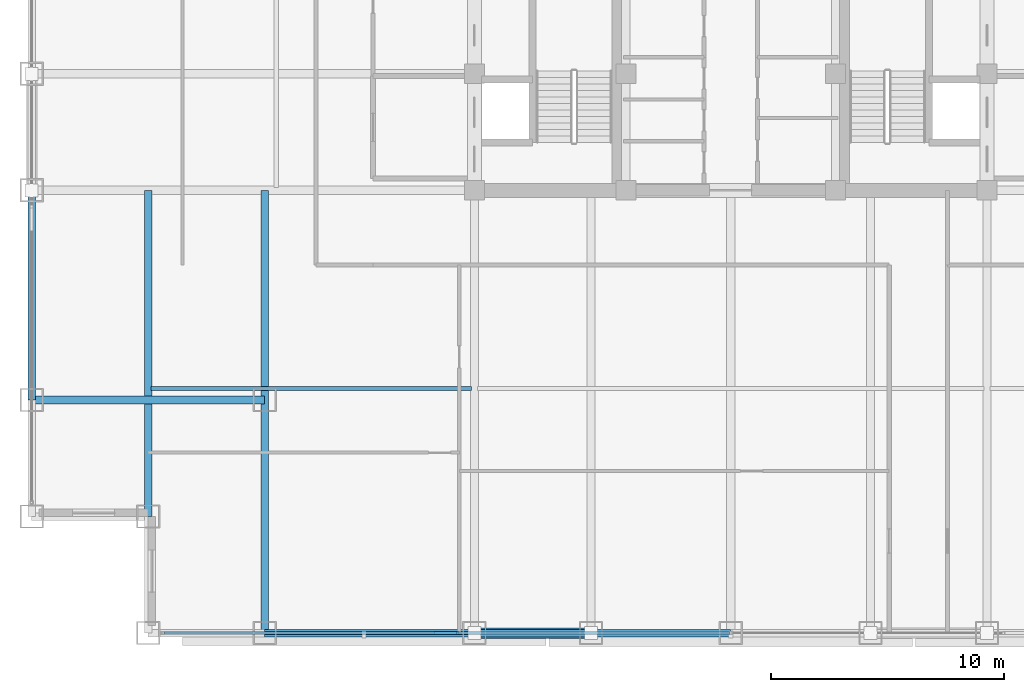
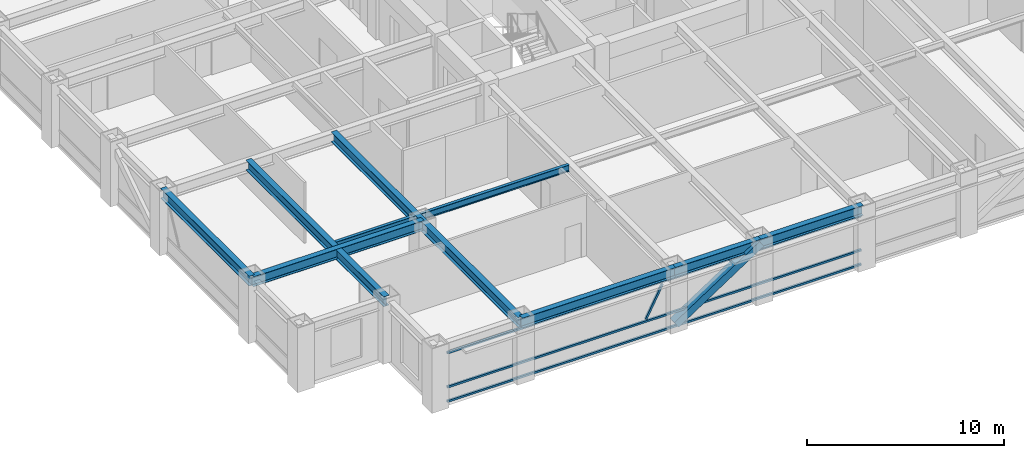
# One storey, part 3 of 29: 8 beams, 5 members, 1 element without a shape of its own.
"""IFC4 building model written with IfcOpenShell, lengths in metres."""

from ifc_helpers import new_model, si_unit, direction, frame, origin, origin_2d, place, context, subcontext, project, spatial, hollow_rectangle, i_section, extrude, source, transform, mapped, material, material_profile, profile_set, type_object, element, aggregate, save


model = new_model("IFC4")

# Units and contexts
model_context = context("Model", 3, precision=1e-05, world=origin(), true_north=direction((0.0, 1.0)))
body_context = subcontext(model_context, "Body", "Model", "MODEL_VIEW")
ifc_project = project(units=[si_unit("LENGTHUNIT", "METRE"), si_unit("AREAUNIT", "SQUARE_METRE"), si_unit("VOLUMEUNIT", "CUBIC_METRE"), si_unit("PLANEANGLEUNIT", "RADIAN"), si_unit("MASSUNIT", "GRAM", prefix="KILO")], contexts=[model_context])

# Site, building, storey
site_placement = place(None, origin())
site = spatial("IfcSite", under=ifc_project, at=site_placement, CompositionType="ELEMENT")
building_placement = place(site_placement, origin())
building = spatial("IfcBuilding", under=site, at=building_placement, Name="Khorayat Bourse Tower", CompositionType="ELEMENT")
storey_placement = place(building_placement, frame((0.0, 0.0, 243.10009765625)))
storey = spatial("IfcBuildingStorey", under=building, at=storey_placement, Name="L57", CompositionType="ELEMENT", Elevation=243.10009765625)

# Beams
ifc_material_1 = material(Name="Steel ASTM A992 Grade 50", Category="steel")
ifc_material_profile_1 = material_profile(ifc_material_1, i_section(OverallWidth=0.324951171875, OverallDepth=0.615966796875, WebThickness=0.013916015625, FlangeThickness=0.021484375, FilletRadius=0.01611328125, at=origin_2d()), Name="W610X174")
ifc_profile_set_1 = profile_set([ifc_material_profile_1], Name="Steel ASTM A992 Grade 50")
beam_type_1 = type_object("IfcBeamType", Name="BM-GIRD-610", PredefinedType="BEAM", material=ifc_profile_set_1)
shared_shape_1 = source(origin(), body_context, "Body", "SweptSolid", [
    extrude(i_section(OverallWidth=0.324951171875, OverallDepth=0.615966796875, WebThickness=0.013916015625, FlangeThickness=0.021484375, FilletRadius=0.01611328125, at=origin_2d()), origin(), (0.0, 0.0, 1.0), 19.0),
])
beam_1_placement = place(storey_placement, frame((-20.0, -30.0, 3.471923828125), z_axis=(0.0, 1.0, 0.0), x_axis=(-1.0, 0.0, 0.0)))
element("IfcBeam", 1, at=beam_1_placement, inside=storey, type_object=beam_type_1, Name="L57 BM-GIRD-610 BM-L57-CNRY-084", PredefinedType="BEAM", context=body_context, shape_type="MappedRepresentation", body=[
    mapped(shared_shape_1, transform((0.0, 0.0, 0.0), scale=1.0)),
])
shared_shape_2 = source(origin(), body_context, "Body", "SweptSolid", [
    extrude(i_section(OverallWidth=0.324951171875, OverallDepth=0.615966796875, WebThickness=0.013916015625, FlangeThickness=0.021484375, FilletRadius=0.01611328125, at=origin_2d()), origin(), (0.0, 0.0, 1.0), 10.0),
])
beam_2_placement = place(storey_placement, frame((-30.0, -20.0, 3.471923828125), z_axis=(1.0, 0.0, 0.0), x_axis=(0.0, 1.0, 0.0)))
element("IfcBeam", 2, at=beam_2_placement, inside=storey, type_object=beam_type_1, Name="L57 BM-GIRD-610 BM-L57-CNRX-093", PredefinedType="BEAM", context=body_context, shape_type="MappedRepresentation", body=[
    mapped(shared_shape_2, transform((0.0, 0.0, 0.0), scale=1.0)),
])
ifc_material_profile_2 = material_profile(ifc_material_1, i_section(OverallWidth=0.324951171875, OverallDepth=0.615966796875, WebThickness=0.013916015625, FlangeThickness=0.021484375, FilletRadius=0.01611328125, at=origin_2d()), Name="W610X174")
ifc_profile_set_2 = profile_set([ifc_material_profile_2], Name="Steel ASTM A992 Grade 50")
beam_type_2 = type_object("IfcBeamType", Name="BM-SPAN-610", PredefinedType="SPANDREL", material=ifc_profile_set_2)
shared_shape_3 = source(origin(), body_context, "Body", "SweptSolid", [
    extrude(i_section(OverallWidth=0.324951171875, OverallDepth=0.615966796875, WebThickness=0.013916015625, FlangeThickness=0.021484375, FilletRadius=0.01611328125, at=origin_2d()), origin(), (0.0, 0.0, 1.0), 9.0),
])
for number, where, z_axis, x_axis, name in (
    (3, (-20.0, -30.0, 3.471923828125), (1.0, 0.0, 0.0), (0.0, 1.0, 0.0), "L57 BM-SPAN-610 BM-L57-SPN-025"),
    (4, (-30.0, -20.0, 3.471923828125), (0.0, 1.0, 0.0), (-1.0, 0.0, 0.0), "L57 BM-SPAN-610 BM-L57-SPN-060"),
):
    element("IfcBeam", number, at=place(storey_placement, frame(where, z_axis=z_axis, x_axis=x_axis)), inside=storey, type_object=beam_type_2, Name=name, PredefinedType="SPANDREL", context=body_context, shape_type="MappedRepresentation", body=[
        mapped(shared_shape_3, transform((0.0, 0.0, 0.0), scale=1.0)),
    ])
shared_shape_4 = source(origin(), body_context, "Body", "SweptSolid", [
    extrude(i_section(OverallWidth=0.324951171875, OverallDepth=0.615966796875, WebThickness=0.013916015625, FlangeThickness=0.021484375, FilletRadius=0.01611328125, at=origin_2d()), origin(), (0.0, 0.0, 1.0), 5.0),
])
beam_3_placement = place(storey_placement, frame((-11.0, -30.0, 3.471923828125), z_axis=(1.0, 0.0, 0.0), x_axis=(0.0, 1.0, 0.0)))
element("IfcBeam", 5, at=beam_3_placement, inside=storey, type_object=beam_type_2, Name="L57 BM-SPAN-610 BM-L57-SPN-026", PredefinedType="SPANDREL", context=body_context, shape_type="MappedRepresentation", body=[
    mapped(shared_shape_4, transform((0.0, 0.0, 0.0), scale=1.0)),
])
shared_shape_5 = source(origin(), body_context, "Body", "SweptSolid", [
    extrude(i_section(OverallWidth=0.324951171875, OverallDepth=0.615966796875, WebThickness=0.013916015625, FlangeThickness=0.021484375, FilletRadius=0.01611328125, at=origin_2d()), origin(), (0.0, 0.0, 1.0), 6.0),
])
beam_4_placement = place(storey_placement, frame((-6.0, -30.0, 3.471923828125), z_axis=(1.0, 0.0, 0.0), x_axis=(0.0, 1.0, 0.0)))
element("IfcBeam", 6, at=beam_4_placement, inside=storey, type_object=beam_type_2, Name="L57 BM-SPAN-610 BM-L57-SPN-027", PredefinedType="SPANDREL", context=body_context, shape_type="MappedRepresentation", body=[
    mapped(shared_shape_5, transform((0.0, 0.0, 0.0), scale=1.0)),
])
shared_shape_6 = source(origin(), body_context, "Body", "SweptSolid", [
    extrude(i_section(OverallWidth=0.324951171875, OverallDepth=0.615966796875, WebThickness=0.013916015625, FlangeThickness=0.021484375, FilletRadius=0.01611328125, at=origin_2d()), origin(), (0.0, 0.0, 1.0), 14.0),
])
beam_5_placement = place(storey_placement, frame((-25.0, -25.0, 3.471923828125), z_axis=(0.0, 1.0, 0.0), x_axis=(-1.0, 0.0, 0.0)))
element("IfcBeam", 7, at=beam_5_placement, inside=storey, type_object=beam_type_1, Name="L57 BM-GIRD-610 BM-L57-CNRY-088", PredefinedType="BEAM", context=body_context, shape_type="MappedRepresentation", body=[
    mapped(shared_shape_6, transform((0.0, 0.0, 0.0), scale=1.0)),
])
ifc_material_profile_3 = material_profile(ifc_material_1, i_section(OverallWidth=0.180908203125, OverallDepth=0.4169921875, WebThickness=0.010986328125, FlangeThickness=0.018310546875, FilletRadius=0.011962890625, at=origin_2d()), Name="W410X85")
ifc_profile_set_3 = profile_set([ifc_material_profile_3], Name="Steel ASTM A992 Grade 50")
beam_type_3 = type_object("IfcBeamType", Name="BM-JOIST-410", PredefinedType="JOIST", material=ifc_profile_set_3)
shared_shape_7 = source(origin(), body_context, "Body", "SweptSolid", [
    extrude(i_section(OverallWidth=0.180908203125, OverallDepth=0.4169921875, WebThickness=0.010986328125, FlangeThickness=0.018310546875, FilletRadius=0.011962890625, at=origin_2d()), origin(), (0.0, 0.0, 1.0), 13.740234375),
])
beam_6_placement = place(storey_placement, frame((-24.8701171875, -19.5, 3.5712890625), z_axis=(1.0, 0.0, 0.0), x_axis=(0.0, 1.0, 0.0)))
element("IfcBeam", 8, at=beam_6_placement, inside=storey, type_object=beam_type_3, Name="L57 BM-JOIST-410 BM-L57-JSTX-096", PredefinedType="JOIST", context=body_context, shape_type="MappedRepresentation", body=[
    mapped(shared_shape_7, transform((0.0, 0.0, 0.0), scale=1.0)),
])

# Member
ifc_material_2 = material(Name="Steel EN 10025-4 S460M", Category="steel")
ifc_material_profile_4 = material_profile(ifc_material_2, hollow_rectangle(XDim=0.449951171875, YDim=0.449951171875, WallThickness=0.02490234375, at=origin_2d()), Name="HSS 450x450x25")
ifc_profile_set_4 = profile_set([ifc_material_profile_4], Name="Steel EN 10025-4 S460M")
member_type_1 = type_object("IfcMemberType", Name="MBR-TUBE-450", PredefinedType="BRACE", material=ifc_profile_set_4)
shared_shape_8 = source(origin(), body_context, "Body", "SweptSolid", [
    extrude(hollow_rectangle(XDim=0.449951171875, YDim=0.449951171875, WallThickness=0.02490234375, at=origin_2d()), origin(), (0.0, 0.0, 1.0), 5.979736328125),
])
member_1_placement = place(storey_placement, frame((-11.0, -30.0, 0.25), z_axis=(0.836160261256, 0.0, 0.548485202623), x_axis=(0.0, 1.0, 0.0)))
element("IfcMember", 9, at=member_1_placement, inside=storey, type_object=member_type_1, Name="L57 Perimeter Tube Brace 01", PredefinedType="BRACE", context=body_context, shape_type="MappedRepresentation", body=[
    mapped(shared_shape_8, transform((0.0, 0.0, 0.0), scale=1.0)),
])

# Curtain wall, members
ifc_material_3 = material(Name="Aluminium EN AW-6063 T6", Category="aluminium")
curtain_wall_type = type_object("IfcCurtainWallType", Name="CW-SYS-03", PredefinedType="NOTDEFINED", material=ifc_material_3)
curtain_wall_placement = place(storey_placement, origin())
curtain_wall = element("IfcCurtainWall", 10, at=curtain_wall_placement, inside=storey, type_object=curtain_wall_type, Name="L57 Curtain Wall CW-L57-S1", PredefinedType="NOTDEFINED")
ifc_material_profile_5 = material_profile(ifc_material_3, hollow_rectangle(XDim=0.1201171875, YDim=0.1201171875, WallThickness=0.0048828125, at=origin_2d()), Name="ALU 120x120x5")
ifc_profile_set_5 = profile_set([ifc_material_profile_5], Name="Aluminium EN AW-6063 T6")
member_type_2 = type_object("IfcMemberType", Name="CWM-DIAG-120", PredefinedType="MULLION", material=ifc_profile_set_5)
shared_shape_9 = source(origin(), body_context, "Body", "SweptSolid", [
    extrude(hollow_rectangle(XDim=0.1201171875, YDim=0.1201171875, WallThickness=0.0048828125, at=origin_2d()), origin(), (0.0, 0.0, 1.0), 2.079345703125),
])
member_2_placement = place(storey_placement, frame((-12.67919921875, -30.0, 1.08984375), z_axis=(0.465760949701, 0.0, 0.884910581773), x_axis=(0.0, 1.0, 0.0)))
member_2 = element("IfcMember", 11, at=member_2_placement, type_object=member_type_2, Name="CW-L57-S1 Faceted Diagonal Mullion 1", PredefinedType="MULLION", context=body_context, shape_type="MappedRepresentation", body=[
    mapped(shared_shape_9, transform((0.0, 0.0, 0.0), scale=1.0)),
])
ifc_material_profile_6 = material_profile(ifc_material_3, hollow_rectangle(XDim=0.1201171875, YDim=0.1201171875, WallThickness=0.0048828125, at=origin_2d()), Name="ALU 120x120x5")
ifc_profile_set_6 = profile_set([ifc_material_profile_6], Name="Aluminium EN AW-6063 T6")
member_type_3 = type_object("IfcMemberType", Name="CWT-HORZ-120", PredefinedType="USERDEFINED", material=ifc_profile_set_6)
shared_shape_10 = source(origin(), body_context, "Body", "SweptSolid", [
    extrude(hollow_rectangle(XDim=0.1201171875, YDim=0.1201171875, WallThickness=0.0048828125, at=origin_2d()), origin(), (0.0, 0.0, 1.0), 24.27001953125),
])
member_3_placement = place(storey_placement, frame((-24.330078125, -30.0, 0.059814453125), z_axis=(1.0, 0.0, 0.0), x_axis=(0.0, 1.0, 0.0)))
member_3 = element("IfcMember", 12, at=member_3_placement, type_object=member_type_3, Name="CW-L57-S1 Horizontal Transom 1-1", ObjectType="TRANSOM", PredefinedType="USERDEFINED", context=body_context, shape_type="MappedRepresentation", body=[
    mapped(shared_shape_10, transform((0.0, 0.0, 0.0), scale=1.0)),
])
member_4_placement = place(storey_placement, frame((-24.330078125, -30.0, 0.949951171875), z_axis=(1.0, 0.0, 0.0), x_axis=(0.0, 1.0, 0.0)))
member_4 = element("IfcMember", 13, at=member_4_placement, type_object=member_type_3, Name="CW-L57-S1 Horizontal Transom 1-2", ObjectType="TRANSOM", PredefinedType="USERDEFINED", context=body_context, shape_type="MappedRepresentation", body=[
    mapped(shared_shape_10, transform((0.0, 0.0, 0.0), scale=1.0)),
])
member_5_placement = place(storey_placement, frame((-24.330078125, -30.0, 3.06982421875), z_axis=(1.0, 0.0, 0.0), x_axis=(0.0, 1.0, 0.0)))
member_5 = element("IfcMember", 14, at=member_5_placement, type_object=member_type_3, Name="CW-L57-S1 Horizontal Transom 1-3", ObjectType="TRANSOM", PredefinedType="USERDEFINED", context=body_context, shape_type="MappedRepresentation", body=[
    mapped(shared_shape_10, transform((0.0, 0.0, 0.0), scale=1.0)),
])
aggregate(curtain_wall, [member_3, member_4, member_5, member_2])

save(model, "model.ifc")
